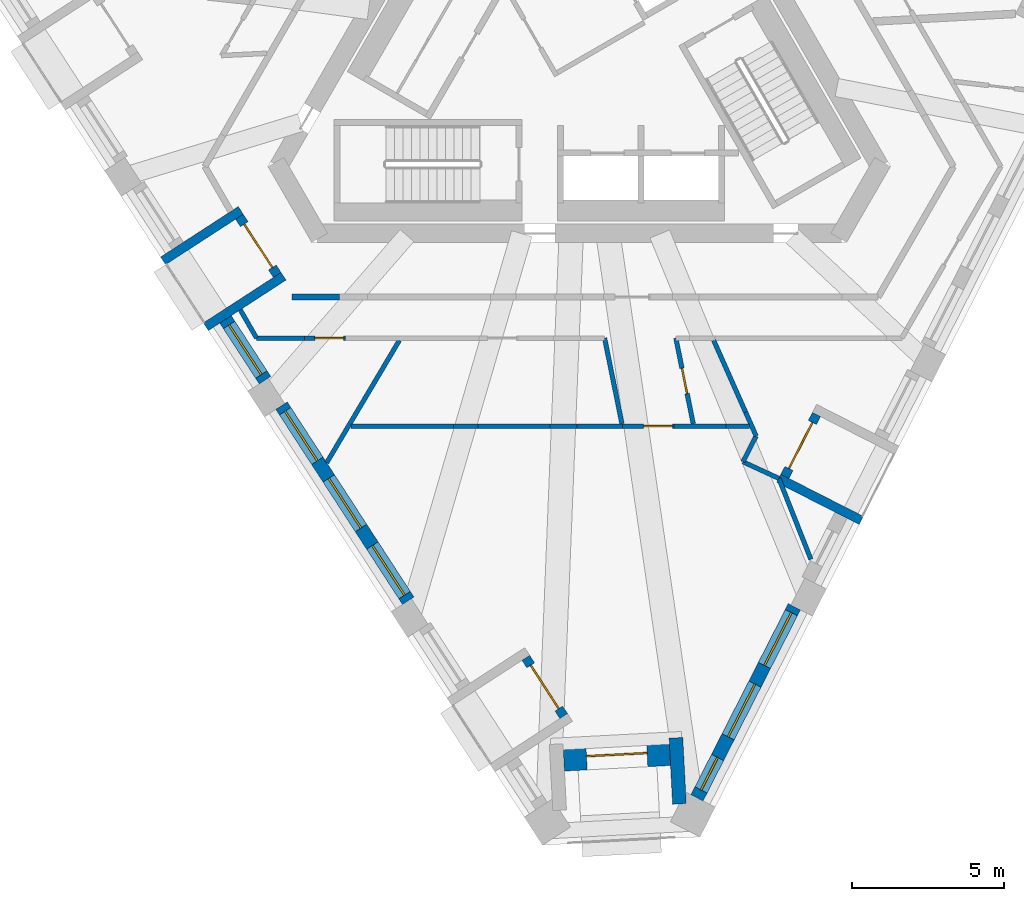
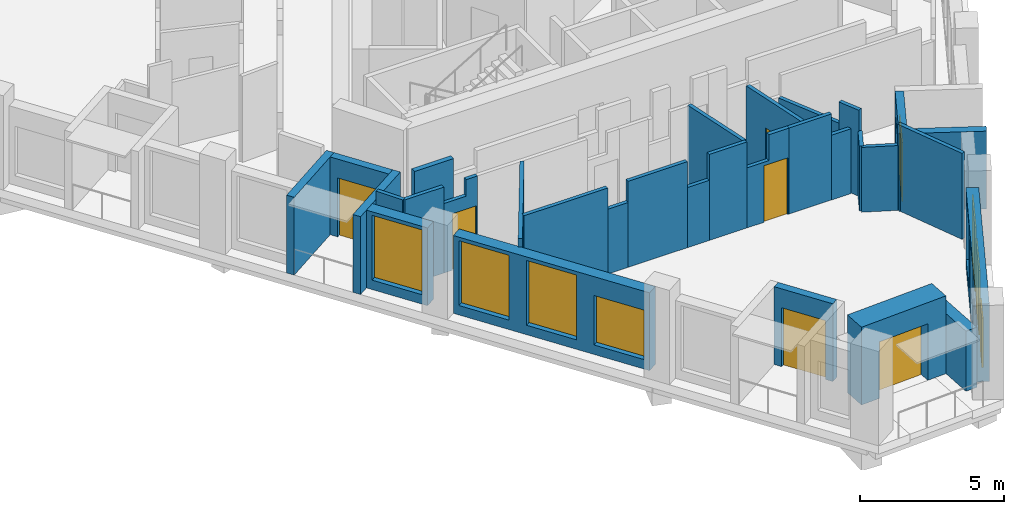
# One storey, part 2 of 12: 31 walls, 7 doors, 7 windows, 14 openings.
"""IFC4 building model written with IfcOpenShell, lengths in metres."""

from ifc_helpers import new_model, si_unit, direction, frame, frame_2d, origin, place, context, subcontext, project, spatial, polyline, rectangle, outline, extrude, material, layer, layer_set, type_object, element, fill, save


model = new_model("IFC4")

# Units and contexts
model_context = context("Model", 3, precision=1e-05, world=origin(), true_north=direction((0.0, 1.0)))
body_context = subcontext(model_context, "Body", "Model", "MODEL_VIEW")
ifc_project = project(units=[si_unit("LENGTHUNIT", "METRE"), si_unit("AREAUNIT", "SQUARE_METRE"), si_unit("VOLUMEUNIT", "CUBIC_METRE"), si_unit("PLANEANGLEUNIT", "RADIAN"), si_unit("MASSUNIT", "GRAM", prefix="KILO")], contexts=[model_context])

# Site, building, storey
site_placement = place(None, origin())
site = spatial("IfcSite", under=ifc_project, at=site_placement, CompositionType="ELEMENT")
building_placement = place(site_placement, origin())
building = spatial("IfcBuilding", under=site, at=building_placement, Name="Tramontana Tower", CompositionType="ELEMENT")
storey_placement = place(building_placement, frame((0.0, 0.0, 298.39990234375)))
storey = spatial("IfcBuildingStorey", under=building, at=storey_placement, Name="L70", CompositionType="ELEMENT", Elevation=298.39990234375)

# Wall
ifc_material_1 = material(Name="Blockwork", Category="masonry")
ifc_layer_1 = layer(ifc_material_1, 0.199951171875)
ifc_layer_set_1 = layer_set([ifc_layer_1], Name="ENTRY WALL 200")
wall_type_1 = type_object("IfcWallType", Name="ENTRY WALL 200", PredefinedType="SOLIDWALL", material=ifc_layer_set_1)
wall_1_placement = place(storey_placement, frame((-7.89599609375, -8.550048828125, 0.0), z_axis=(0.0, 0.0, 1.0), x_axis=(-1.0, 0.0, 0.0)))
element("IfcWall", 1, at=wall_1_placement, inside=storey, type_object=wall_type_1, Name="Wall v72-ew1-11", PredefinedType="SOLIDWALL", context=body_context, shape_type="SweptSolid", body=[
    extrude(rectangle(XDim=1.569580078125, YDim=0.199951171875, at=frame_2d((0.78466796875, 0.0))), origin(), (0.0, 0.0, 1.0), 3.650146484375),
])

# Wall, opening, window
ifc_material_2 = material(Name="Precast concrete 60 MPa", Category="concrete")
ifc_layer_2 = layer(ifc_material_2, 0.449951171875)
ifc_layer_set_2 = layer_set([ifc_layer_2], Name="Precast concrete 60 MPa, 450 mm")
wall_type_2 = type_object("IfcWallType", Name="EW1 Stone-faced precast wall 450", PredefinedType="SOLIDWALL", material=ifc_layer_set_2)
wall_2_placement = place(storey_placement, frame((-11.647216796875, -9.284912109375, 0.0), z_axis=(0.0, 0.0, 1.0), x_axis=(0.544722247615, -0.838616523182, 0.0)))
wall_2 = element("IfcWall", 2, at=wall_2_placement, inside=storey, type_object=wall_type_2, Name="External wall L70 face 0 bay 3", PredefinedType="SOLIDWALL", context=body_context, shape_type="SweptSolid", body=[
    extrude(rectangle(XDim=2.38671875, YDim=0.449951171875, at=frame_2d((1.193359375, 0.0))), origin(), (0.0, 0.0, 1.0), 3.300048828125),
])
opening_1_placement = place(wall_2_placement, frame((0.21826171875, 0.0, 0.39990234375)))
opening_1 = element("IfcOpeningElement", 3, at=opening_1_placement, cuts=wall_2, Name="Opening M3", PredefinedType="OPENING", context=body_context, shape_type="SweptSolid", body=[
    extrude(rectangle(XDim=1.949951171875, YDim=2.75, at=frame_2d((0.97509765625, 1.375))), frame((0.0, 0.23486328125, 0.0), z_axis=(0.0, -1.0, 0.0), x_axis=(1.0, 0.0, 0.0)), (0.0, 0.0, 1.0), 0.469970703125),
])
ifc_material_3 = material(Name="Aluminum frame, double glazing unit", Category="aluminium")
window_type_1 = type_object("IfcWindowType", Name="M3 Window 1.95 x 2.75", PartitioningType="SINGLE_PANEL", PredefinedType="WINDOW", material=ifc_material_3)
window_1_placement = place(opening_1_placement, origin())
window_1 = element("IfcWindow", 4, at=window_1_placement, inside=storey, type_object=window_type_1, Name="Window M3 L70 face 0 module 9", OverallHeight=2.75, OverallWidth=1.949951171875, PartitioningType="SINGLE_PANEL", PredefinedType="WINDOW", context=body_context, shape_type="SweptSolid", body=[
    extrude(rectangle(XDim=1.949951171875, YDim=2.75, at=frame_2d((0.97509765625, 1.375))), frame((0.0, 0.030029296875, 0.0), z_axis=(0.0, -1.0, 0.0), x_axis=(1.0, 0.0, 0.0)), (0.0, 0.0, 1.0), 0.06005859375),
])
fill(opening_1, window_1)

# Wall, openings, windows
wall_3_placement = place(storey_placement, frame((-9.802734375, -12.125244140625, 0.0), z_axis=(0.0, 0.0, 1.0), x_axis=(0.544649987904, -0.838663454954, 0.0)))
wall_3 = element("IfcWall", 5, at=wall_3_placement, inside=storey, type_object=wall_type_2, Name="External wall L70 face 0 bay 4", PredefinedType="SOLIDWALL", context=body_context, shape_type="SweptSolid", body=[
    extrude(rectangle(XDim=7.66015625, YDim=0.449951171875, at=frame_2d((3.830078125, 0.0))), origin(), (0.0, 0.0, 1.0), 3.300048828125),
])
opening_2_placement = place(wall_3_placement, frame((0.21826171875, 0.0, 0.39990234375)))
opening_2 = element("IfcOpeningElement", 6, at=opening_2_placement, cuts=wall_3, Name="Opening M3", PredefinedType="OPENING", context=body_context, shape_type="SweptSolid", body=[
    extrude(rectangle(XDim=1.949951171875, YDim=2.75, at=frame_2d((0.97509765625, 1.375))), frame((0.0, 0.23486328125, 0.0), z_axis=(0.0, -1.0, 0.0), x_axis=(1.0, 0.0, 0.0)), (0.0, 0.0, 1.0), 0.469970703125),
])
opening_3_placement = place(wall_3_placement, frame((2.855224609375, 0.0, 0.39990234375)))
opening_3 = element("IfcOpeningElement", 7, at=opening_3_placement, cuts=wall_3, Name="Opening M3", PredefinedType="OPENING", context=body_context, shape_type="SweptSolid", body=[
    extrude(rectangle(XDim=1.949951171875, YDim=2.75, at=frame_2d((0.97509765625, 1.375))), frame((0.0, 0.23486328125, 0.0), z_axis=(0.0, -1.0, 0.0), x_axis=(1.0, 0.0, 0.0)), (0.0, 0.0, 1.0), 0.469970703125),
])
opening_4_placement = place(wall_3_placement, frame((5.491943359375, 0.0, 0.39990234375)))
opening_4 = element("IfcOpeningElement", 8, at=opening_4_placement, cuts=wall_3, Name="Opening M3L", PredefinedType="OPENING", context=body_context, shape_type="SweptSolid", body=[
    extrude(rectangle(XDim=1.949951171875, YDim=2.10009765625, at=frame_2d((0.97509765625, 1.050048828125))), frame((0.0, 0.23486328125, 0.0), z_axis=(0.0, -1.0, 0.0), x_axis=(1.0, 0.0, 0.0)), (0.0, 0.0, 1.0), 0.469970703125),
])
window_2_placement = place(opening_2_placement, origin())
window_2 = element("IfcWindow", 9, at=window_2_placement, inside=storey, type_object=window_type_1, Name="Window M3 L70 face 0 module 10", OverallHeight=2.75, OverallWidth=1.949951171875, PartitioningType="SINGLE_PANEL", PredefinedType="WINDOW", context=body_context, shape_type="SweptSolid", body=[
    extrude(rectangle(XDim=1.949951171875, YDim=2.75, at=frame_2d((0.97509765625, 1.375))), frame((0.0, 0.030029296875, 0.0), z_axis=(0.0, -1.0, 0.0), x_axis=(1.0, 0.0, 0.0)), (0.0, 0.0, 1.0), 0.06005859375),
])
fill(opening_2, window_2)
window_3_placement = place(opening_3_placement, origin())
window_3 = element("IfcWindow", 10, at=window_3_placement, inside=storey, type_object=window_type_1, Name="Window M3 L70 face 0 module 11", OverallHeight=2.75, OverallWidth=1.949951171875, PartitioningType="SINGLE_PANEL", PredefinedType="WINDOW", context=body_context, shape_type="SweptSolid", body=[
    extrude(rectangle(XDim=1.949951171875, YDim=2.75, at=frame_2d((0.97509765625, 1.375))), frame((0.0, 0.030029296875, 0.0), z_axis=(0.0, -1.0, 0.0), x_axis=(1.0, 0.0, 0.0)), (0.0, 0.0, 1.0), 0.06005859375),
])
fill(opening_3, window_3)
ifc_material_4 = material(Name="Aluminum frame, double glazing unit", Category="aluminium")
window_type_2 = type_object("IfcWindowType", Name="M3L Window 1.95 x 2.1", PartitioningType="SINGLE_PANEL", PredefinedType="WINDOW", material=ifc_material_4)
window_4_placement = place(opening_4_placement, origin())
window_4 = element("IfcWindow", 11, at=window_4_placement, inside=storey, type_object=window_type_2, Name="Window M3L L70 face 0 module 12", OverallHeight=2.10009765625, OverallWidth=1.949951171875, PartitioningType="SINGLE_PANEL", PredefinedType="WINDOW", context=body_context, shape_type="SweptSolid", body=[
    extrude(rectangle(XDim=1.949951171875, YDim=2.10009765625, at=frame_2d((0.97509765625, 1.050048828125))), frame((0.0, 0.030029296875, 0.0), z_axis=(0.0, -1.0, 0.0), x_axis=(1.0, 0.0, 0.0)), (0.0, 0.0, 1.0), 0.06005859375),
])
fill(opening_4, window_4)

wall_4_placement = place(storey_placement, frame((3.87939453125, -25.041259765625, 0.0), z_axis=(0.0, 0.0, 1.0), x_axis=(0.453992084912, 0.891005716501, 0.0)))
wall_4 = element("IfcWall", 12, at=wall_4_placement, inside=storey, type_object=wall_type_2, Name="External wall L70 face 1 bay 1", PredefinedType="SOLIDWALL", context=body_context, shape_type="SweptSolid", body=[
    extrude(rectangle(XDim=7.060302734375, YDim=0.449951171875, at=frame_2d((3.5302734375, 0.0))), origin(), (0.0, 0.0, 1.0), 3.300048828125),
])
opening_5_placement = place(wall_4_placement, frame((0.29345703125, 0.0, 0.39990234375)))
opening_5 = element("IfcOpeningElement", 13, at=opening_5_placement, cuts=wall_4, Name="Opening N3L", PredefinedType="OPENING", context=body_context, shape_type="SweptSolid", body=[
    extrude(rectangle(XDim=1.199951171875, YDim=2.10009765625, at=frame_2d((0.60009765625, 1.050048828125))), frame((0.0, 0.23486328125, 0.0), z_axis=(0.0, -1.0, 0.0), x_axis=(1.0, 0.0, 0.0)), (0.0, 0.0, 1.0), 0.469970703125),
])
opening_6_placement = place(wall_4_placement, frame((2.255126953125, 0.0, 0.39990234375)))
opening_6 = element("IfcOpeningElement", 14, at=opening_6_placement, cuts=wall_4, Name="Opening M3", PredefinedType="OPENING", context=body_context, shape_type="SweptSolid", body=[
    extrude(rectangle(XDim=1.949951171875, YDim=2.75, at=frame_2d((0.97509765625, 1.375))), frame((0.0, 0.23486328125, 0.0), z_axis=(0.0, -1.0, 0.0), x_axis=(1.0, 0.0, 0.0)), (0.0, 0.0, 1.0), 0.469970703125),
])
opening_7_placement = place(wall_4_placement, frame((4.891845703125, 0.0, 0.39990234375)))
opening_7 = element("IfcOpeningElement", 15, at=opening_7_placement, cuts=wall_4, Name="Opening M3", PredefinedType="OPENING", context=body_context, shape_type="SweptSolid", body=[
    extrude(rectangle(XDim=1.949951171875, YDim=2.75, at=frame_2d((0.97509765625, 1.375))), frame((0.0, 0.23486328125, 0.0), z_axis=(0.0, -1.0, 0.0), x_axis=(1.0, 0.0, 0.0)), (0.0, 0.0, 1.0), 0.469970703125),
])
window_5_placement = place(opening_6_placement, origin())
window_5 = element("IfcWindow", 16, at=window_5_placement, inside=storey, type_object=window_type_1, Name="Window M3 L70 face 1 module 2", OverallHeight=2.75, OverallWidth=1.949951171875, PartitioningType="SINGLE_PANEL", PredefinedType="WINDOW", context=body_context, shape_type="SweptSolid", body=[
    extrude(rectangle(XDim=1.949951171875, YDim=2.75, at=frame_2d((0.97509765625, 1.375))), frame((0.0, 0.030029296875, 0.0), z_axis=(0.0, -1.0, 0.0), x_axis=(1.0, 0.0, 0.0)), (0.0, 0.0, 1.0), 0.06005859375),
])
fill(opening_6, window_5)
window_6_placement = place(opening_7_placement, origin())
window_6 = element("IfcWindow", 17, at=window_6_placement, inside=storey, type_object=window_type_1, Name="Window M3 L70 face 1 module 3", OverallHeight=2.75, OverallWidth=1.949951171875, PartitioningType="SINGLE_PANEL", PredefinedType="WINDOW", context=body_context, shape_type="SweptSolid", body=[
    extrude(rectangle(XDim=1.949951171875, YDim=2.75, at=frame_2d((0.97509765625, 1.375))), frame((0.0, 0.030029296875, 0.0), z_axis=(0.0, -1.0, 0.0), x_axis=(1.0, 0.0, 0.0)), (0.0, 0.0, 1.0), 0.06005859375),
])
fill(opening_7, window_6)
ifc_material_5 = material(Name="Aluminum frame, double glazing unit", Category="aluminium")
window_type_3 = type_object("IfcWindowType", Name="N3L Window 1.2 x 2.1", PartitioningType="SINGLE_PANEL", PredefinedType="WINDOW", material=ifc_material_5)
window_7_placement = place(opening_5_placement, origin())
window_7 = element("IfcWindow", 18, at=window_7_placement, inside=storey, type_object=window_type_3, Name="Window N3L L70 face 1 module 1", OverallHeight=2.10009765625, OverallWidth=1.199951171875, PartitioningType="SINGLE_PANEL", PredefinedType="WINDOW", context=body_context, shape_type="SweptSolid", body=[
    extrude(rectangle(XDim=1.199951171875, YDim=2.10009765625, at=frame_2d((0.60009765625, 1.050048828125))), frame((0.0, 0.030029296875, 0.0), z_axis=(0.0, -1.0, 0.0), x_axis=(1.0, 0.0, 0.0)), (0.0, 0.0, 1.0), 0.06005859375),
])
fill(opening_5, window_7)

# Wall
wall_5_placement = place(storey_placement, frame((3.300537109375, -25.240966796875, 0.0), z_axis=(0.0, 0.0, 1.0), x_axis=(-0.052323605405, 0.998630181958, 0.0)))
element("IfcWall", 19, at=wall_5_placement, inside=storey, type_object=wall_type_2, Name="Corner loggia side wall L70 K71l", PredefinedType="SOLIDWALL", context=body_context, shape_type="SweptSolid", body=[
    extrude(rectangle(XDim=2.178955078125, YDim=0.449951171875, at=frame_2d((1.08935546875, 0.0))), origin(), (0.0, 0.0, 1.0), 2.550048828125),
])

# Wall, opening, door
ifc_material_6 = material(Name="Precast concrete 60 MPa", Category="concrete")
ifc_layer_3 = layer(ifc_material_6, 0.89990234375)
ifc_layer_set_3 = layer_set([ifc_layer_3], Name="EW2 Stone-faced corner loggia wall 900")
wall_type_3 = type_object("IfcWallType", Name="EW2 Stone-faced corner loggia wall 900", PredefinedType="SOLIDWALL", material=ifc_layer_set_3)
wall_6_placement = place(storey_placement, frame((2.9853515625, -23.52587890625, 0.0), z_axis=(0.0, 0.0, 1.0), x_axis=(-0.998626871225, -0.0523867547, 0.0)))
wall_6 = element("IfcWall", 20, at=wall_6_placement, inside=storey, type_object=wall_type_3, Name="Corner loggia wall L70 K71", PredefinedType="SOLIDWALL", context=body_context, shape_type="SweptSolid", body=[
    extrude(rectangle(XDim=3.5, YDim=0.89990234375, at=frame_2d((1.75, 0.0))), origin(), (0.0, 0.0, 1.0), 3.300048828125),
])
opening_8_placement = place(wall_6_placement, frame((0.75, 0.0, 0.0)))
opening_8 = element("IfcOpeningElement", 21, at=opening_8_placement, cuts=wall_6, Name="Opening BD-71C", PredefinedType="OPENING", context=body_context, shape_type="SweptSolid", body=[
    extrude(rectangle(XDim=2.0, YDim=2.39990234375, at=frame_2d((1.0, 1.199951171875))), frame((0.0, 0.4599609375, 0.0), z_axis=(0.0, -1.0, 0.0), x_axis=(1.0, 0.0, 0.0)), (0.0, 0.0, 1.0), 0.919921875),
])
ifc_material_7 = material(Name="Aluminum frame, double glazing unit", Category="aluminium")
door_type_1 = type_object("IfcDoorType", Name="BC1 Sliding door 2 x 2.4", OperationType="SLIDING_TO_LEFT", PredefinedType="DOOR", material=ifc_material_7)
door_1_placement = place(opening_8_placement, origin())
door_1 = element("IfcDoor", 22, at=door_1_placement, inside=storey, type_object=door_type_1, Name="Corner loggia door L70 K71", OperationType="SLIDING_TO_LEFT", OverallHeight=2.39990234375, OverallWidth=2.0, PredefinedType="DOOR", context=body_context, shape_type="SweptSolid", body=[
    extrude(rectangle(XDim=2.0, YDim=2.39990234375, at=frame_2d((1.0, 1.199951171875))), frame((0.0, 0.02490234375, 0.0), z_axis=(0.0, -1.0, 0.0), x_axis=(1.0, 0.0, 0.0)), (0.0, 0.0, 1.0), 0.050048828125),
])
fill(opening_8, door_1)

ifc_material_8 = material(Name="Precast concrete 60 MPa", Category="concrete")
ifc_layer_4 = layer(ifc_material_8, 0.300048828125)
ifc_layer_set_4 = layer_set([ifc_layer_4], Name="LW1 Stone-faced loggia wall 300")
wall_type_4 = type_object("IfcWallType", Name="LW1 Stone-faced loggia wall 300", PredefinedType="SOLIDWALL", material=ifc_layer_set_4)
wall_7_placement = place(storey_placement, frame((-11.18994140625, -5.903564453125, 0.0), z_axis=(0.0, 0.0, 1.0), x_axis=(0.544631777146, -0.838675281216, 0.0)))
wall_7 = element("IfcWall", 23, at=wall_7_placement, inside=storey, type_object=wall_type_4, Name="Loggia wall L70 G7S0.7", PredefinedType="SOLIDWALL", context=body_context, shape_type="SweptSolid", body=[
    extrude(rectangle(XDim=2.28662109375, YDim=0.300048828125, at=frame_2d((1.143310546875, 0.0))), origin(), (0.0, 0.0, 1.0), 3.300048828125),
])
opening_9_placement = place(wall_7_placement, frame((0.29345703125, 0.0, 0.0)))
opening_9 = element("IfcOpeningElement", 24, at=opening_9_placement, cuts=wall_7, Name="Opening BD-7S0-07", PredefinedType="OPENING", context=body_context, shape_type="SweptSolid", body=[
    extrude(rectangle(XDim=1.699951171875, YDim=2.5, at=frame_2d((0.85009765625, 1.25))), frame((0.0, 0.159912109375, 0.0), z_axis=(0.0, -1.0, 0.0), x_axis=(1.0, 0.0, 0.0)), (0.0, 0.0, 1.0), 0.320068359375),
])
ifc_material_9 = material(Name="Aluminum frame, double glazing unit", Category="aluminium")
door_type_2 = type_object("IfcDoorType", Name="BD3 Sliding door 1.7 x 2.5", OperationType="SLIDING_TO_LEFT", PredefinedType="DOOR", material=ifc_material_9)
door_2_placement = place(opening_9_placement, origin())
door_2 = element("IfcDoor", 25, at=door_2_placement, inside=storey, type_object=door_type_2, Name="Loggia door L70 G7S0.7", OperationType="SLIDING_TO_LEFT", OverallHeight=2.5, OverallWidth=1.699951171875, PredefinedType="DOOR", context=body_context, shape_type="SweptSolid", body=[
    extrude(rectangle(XDim=1.699951171875, YDim=2.5, at=frame_2d((0.85009765625, 1.25))), frame((0.0, 0.02490234375, 0.0), z_axis=(0.0, -1.0, 0.0), x_axis=(1.0, 0.0, 0.0)), (0.0, 0.0, 1.0), 0.050048828125),
])
fill(opening_9, door_2)

# Walls
wall_8_placement = place(storey_placement, frame((-13.703857421875, -7.357177734375, 0.0), z_axis=(0.0, 0.0, 1.0), x_axis=(0.838688583525, 0.544611292451, 0.0)))
element("IfcWall", 26, at=wall_8_placement, inside=storey, type_object=wall_type_4, Name="Loggia return L70 G7S0.7a", PredefinedType="SOLIDWALL", context=body_context, shape_type="SweptSolid", body=[
    extrude(rectangle(XDim=3.050048828125, YDim=0.300048828125, at=frame_2d((1.52490234375, 0.0))), origin(), (0.0, 0.0, 1.0), 3.300048828125),
])
wall_9_placement = place(storey_placement, frame((-12.294921875, -9.526611328125, 0.0), z_axis=(0.0, 0.0, 1.0), x_axis=(0.838664840319, 0.544647854685, 0.0)))
element("IfcWall", 27, at=wall_9_placement, inside=storey, type_object=wall_type_4, Name="Loggia return L70 G7S0.7b", PredefinedType="SOLIDWALL", context=body_context, shape_type="SweptSolid", body=[
    extrude(rectangle(XDim=3.0498046875, YDim=0.300048828125, at=frame_2d((1.52490234375, 0.0))), origin(), (0.0, 0.0, 1.0), 3.300048828125),
])

# Wall, opening, door
wall_10_placement = place(storey_placement, frame((-1.756591796875, -20.4296875, 0.0), z_axis=(0.0, 0.0, 1.0), x_axis=(0.544658103125, -0.838658184662, 0.0)))
wall_10 = element("IfcWall", 28, at=wall_10_placement, inside=storey, type_object=wall_type_4, Name="Loggia wall L70 G7S0.13", PredefinedType="SOLIDWALL", context=body_context, shape_type="SweptSolid", body=[
    extrude(rectangle(XDim=2.286865234375, YDim=0.300048828125, at=frame_2d((1.1435546875, 0.0))), origin(), (0.0, 0.0, 1.0), 3.300048828125),
])
opening_10_placement = place(wall_10_placement, frame((0.29345703125, 0.0, 0.0)))
opening_10 = element("IfcOpeningElement", 29, at=opening_10_placement, cuts=wall_10, Name="Opening BD-7S0-13", PredefinedType="OPENING", context=body_context, shape_type="SweptSolid", body=[
    extrude(rectangle(XDim=1.699951171875, YDim=2.5, at=frame_2d((0.85009765625, 1.25))), frame((0.0, 0.159912109375, 0.0), z_axis=(0.0, -1.0, 0.0), x_axis=(1.0, 0.0, 0.0)), (0.0, 0.0, 1.0), 0.320068359375),
])
door_3_placement = place(opening_10_placement, origin())
door_3 = element("IfcDoor", 30, at=door_3_placement, inside=storey, type_object=door_type_2, Name="Loggia door L70 G7S0.13", OperationType="SLIDING_TO_LEFT", OverallHeight=2.5, OverallWidth=1.699951171875, PredefinedType="DOOR", context=body_context, shape_type="SweptSolid", body=[
    extrude(rectangle(XDim=1.699951171875, YDim=2.5, at=frame_2d((0.85009765625, 1.25))), frame((0.0, 0.02490234375, 0.0), z_axis=(0.0, -1.0, 0.0), x_axis=(1.0, 0.0, 0.0)), (0.0, 0.0, 1.0), 0.050048828125),
])
fill(opening_10, door_3)

wall_11_placement = place(storey_placement, frame((6.77587890625, -14.455322265625, 0.0), z_axis=(0.0, 0.0, 1.0), x_axis=(0.454076116559, 0.890962895058, 0.0)))
wall_11 = element("IfcWall", 31, at=wall_11_placement, inside=storey, type_object=wall_type_4, Name="Loggia wall L70 G7S1.4", PredefinedType="SOLIDWALL", context=body_context, shape_type="SweptSolid", body=[
    extrude(rectangle(XDim=2.28662109375, YDim=0.300048828125, at=frame_2d((1.143310546875, 0.0))), origin(), (0.0, 0.0, 1.0), 3.300048828125),
])
opening_11_placement = place(wall_11_placement, frame((0.29345703125, 0.0, 0.0)))
opening_11 = element("IfcOpeningElement", 32, at=opening_11_placement, cuts=wall_11, Name="Opening BD-7S1-04", PredefinedType="OPENING", context=body_context, shape_type="SweptSolid", body=[
    extrude(rectangle(XDim=1.699951171875, YDim=2.5, at=frame_2d((0.85009765625, 1.25))), frame((0.0, 0.159912109375, 0.0), z_axis=(0.0, -1.0, 0.0), x_axis=(1.0, 0.0, 0.0)), (0.0, 0.0, 1.0), 0.320068359375),
])
door_4_placement = place(opening_11_placement, origin())
door_4 = element("IfcDoor", 33, at=door_4_placement, inside=storey, type_object=door_type_2, Name="Loggia door L70 G7S1.4", OperationType="SLIDING_TO_LEFT", OverallHeight=2.5, OverallWidth=1.699951171875, PredefinedType="DOOR", context=body_context, shape_type="SweptSolid", body=[
    extrude(rectangle(XDim=1.699951171875, YDim=2.5, at=frame_2d((0.85009765625, 1.25))), frame((0.0, 0.02490234375, 0.0), z_axis=(0.0, -1.0, 0.0), x_axis=(1.0, 0.0, 0.0)), (0.0, 0.0, 1.0), 0.050048828125),
])
fill(opening_11, door_4)

# Walls
wall_12_placement = place(storey_placement, frame((9.291748046875, -15.905517578125, 0.0), z_axis=(0.0, 0.0, 1.0), x_axis=(-0.891023613249, 0.453956959009, 0.0)))
element("IfcWall", 34, at=wall_12_placement, inside=storey, type_object=wall_type_4, Name="Loggia return L70 G7S1.4a", PredefinedType="SOLIDWALL", context=body_context, shape_type="SweptSolid", body=[
    extrude(rectangle(XDim=3.0498046875, YDim=0.300048828125, at=frame_2d((1.52490234375, 0.0))), origin(), (0.0, 0.0, 1.0), 3.300048828125),
])
ifc_material_10 = material(Name="Gypsum board partition")
ifc_layer_5 = layer(ifc_material_10, 0.14990234375)
ifc_layer_set_5 = layer_set([ifc_layer_5], Name="PARTITION 150")
wall_type_5 = type_object("IfcWallType", Name="PARTITION 150", PredefinedType="PARTITIONING", material=ifc_layer_set_5)
wall_13_placement = place(storey_placement, frame((-10.623291015625, -9.89990234375, 0.0), z_axis=(0.0, 0.0, 1.0), x_axis=(-0.500095966228, 0.865969990567, 0.0)))
element("IfcWall", 35, at=wall_13_placement, inside=storey, type_object=wall_type_5, Name="Wall v72-pw07", PredefinedType="PARTITIONING", context=body_context, shape_type="SweptSolid", body=[
    extrude(rectangle(XDim=1.074951171875, YDim=0.14990234375, at=frame_2d((0.53759765625, 0.0))), origin(), (0.0, 0.0, 1.0), 3.650146484375),
])
wall_14_placement = place(storey_placement, frame((-8.31396484375, -14.004150390625, 0.0), z_axis=(0.0, 0.0, 1.0), x_axis=(0.510513473224, 0.859869753891, 0.0)))
element("IfcWall", 36, at=wall_14_placement, inside=storey, type_object=wall_type_5, Name="Wall v72-pw11", PredefinedType="PARTITIONING", context=body_context, shape_type="SweptSolid", body=[
    extrude(rectangle(XDim=4.685546875, YDim=0.14990234375, at=frame_2d((2.3427734375, 0.0))), origin(), (0.0, 0.0, 1.0), 3.650146484375),
])

# Wall, opening, door
wall_15_placement = place(storey_placement, frame((-7.703857421875, -9.89990234375, 0.0), z_axis=(0.0, 0.0, 1.0), x_axis=(-1.0, 0.0, 0.0)))
wall_15 = element("IfcWall", 37, at=wall_15_placement, inside=storey, type_object=wall_type_5, Name="Wall v72-pw14-5", PredefinedType="PARTITIONING", context=body_context, shape_type="SweptSolid", body=[
    extrude(outline(polyline([(0.0, 0.0), (1.348876953125, 0.0), (1.34912109375, 2.9501953125), (0.45458984375, 2.9501953125), (0.45458984375, 3.650146484375), (0.0, 3.650146484375), (0.0, 0.0)])), frame((0.0, 0.074951171875, 0.0), z_axis=(0.0, -1.0, 0.0), x_axis=(1.0, 0.0, 0.0)), (0.0, 0.0, 1.0), 0.14990234375),
])
opening_12_placement = place(wall_15_placement, frame((0.050048828125, 0.0, 0.0)))
opening_12 = element("IfcOpeningElement", 38, at=opening_12_placement, cuts=wall_15, Name="Opening B7C-09", PredefinedType="OPENING", context=body_context, shape_type="SweptSolid", body=[
    extrude(rectangle(XDim=0.949951171875, YDim=2.39990234375, at=frame_2d((0.47509765625, 1.199951171875))), frame((0.0, 0.0849609375, 0.0), z_axis=(0.0, -1.0, 0.0), x_axis=(1.0, 0.0, 0.0)), (0.0, 0.0, 1.0), 0.169921875),
])
ifc_material_11 = material(Name="Painted timber", Category="wood")
door_type_3 = type_object("IfcDoorType", Name="DOOR ROOM 950", OperationType="SINGLE_SWING_LEFT", PredefinedType="DOOR", material=ifc_material_11)
door_5_placement = place(opening_12_placement, origin())
door_5 = element("IfcDoor", 39, at=door_5_placement, inside=storey, type_object=door_type_3, Name="Door B7C-09", OperationType="SINGLE_SWING_LEFT", OverallHeight=2.39990234375, OverallWidth=0.949951171875, PredefinedType="DOOR", context=body_context, shape_type="SweptSolid", body=[
    extrude(rectangle(XDim=0.949951171875, YDim=2.39990234375, at=frame_2d((0.47509765625, 1.199951171875))), frame((0.0, 0.02490234375, 0.0), z_axis=(0.0, -1.0, 0.0), x_axis=(1.0, 0.0, 0.0)), (0.0, 0.0, 1.0), 0.050048828125),
])
fill(opening_12, door_5)

# Walls
wall_16_placement = place(storey_placement, frame((-9.052734375, -9.89990234375, 0.0), z_axis=(0.0, 0.0, 1.0), x_axis=(-1.0, 0.0, 0.0)))
element("IfcWall", 40, at=wall_16_placement, inside=storey, type_object=wall_type_5, Name="Wall v72-pw14-6", PredefinedType="PARTITIONING", context=body_context, shape_type="SweptSolid", body=[
    extrude(rectangle(XDim=1.570556640625, YDim=0.14990234375, at=frame_2d((0.78515625, 0.0))), origin(), (0.0, 0.0, 1.0), 3.650146484375),
])
wall_17_placement = place(storey_placement, frame((1.4091796875, -12.72509765625, 0.0), z_axis=(0.0, 0.0, 1.0), x_axis=(-0.198851501623, 0.980029632359, 0.0)))
element("IfcWall", 41, at=wall_17_placement, inside=storey, type_object=wall_type_5, Name="Wall v72-pw15", PredefinedType="PARTITIONING", context=body_context, shape_type="SweptSolid", body=[
    extrude(rectangle(XDim=2.8828125, YDim=0.14990234375, at=frame_2d((1.44140625, 0.0))), origin(), (0.0, 0.0, 1.0), 3.650146484375),
])

# Wall, opening, door
wall_18_placement = place(storey_placement, frame((3.182861328125, -9.89990234375, 0.0), z_axis=(0.0, 0.0, 1.0), x_axis=(0.198851501623, -0.980029632359, 0.0)))
wall_18 = element("IfcWall", 42, at=wall_18_placement, inside=storey, type_object=wall_type_5, Name="Wall v72-pw16", PredefinedType="PARTITIONING", context=body_context, shape_type="SweptSolid", body=[
    extrude(rectangle(XDim=2.8828125, YDim=0.14990234375, at=frame_2d((1.44140625, 0.0))), origin(), (0.0, 0.0, 1.0), 3.650146484375),
])
opening_13_placement = place(wall_18_placement, frame((1.016357421875, 0.0, 0.0)))
opening_13 = element("IfcOpeningElement", 43, at=opening_13_placement, cuts=wall_18, Name="Opening B7C-07", PredefinedType="OPENING", context=body_context, shape_type="SweptSolid", body=[
    extrude(rectangle(XDim=0.85009765625, YDim=2.39990234375, at=frame_2d((0.425048828125, 1.199951171875))), frame((0.0, 0.0849609375, 0.0), z_axis=(0.0, -1.0, 0.0), x_axis=(1.0, 0.0, 0.0)), (0.0, 0.0, 1.0), 0.169921875),
])
ifc_material_12 = material(Name="Painted timber", Category="wood")
door_type_4 = type_object("IfcDoorType", Name="DOOR BATH 850", OperationType="SINGLE_SWING_LEFT", PredefinedType="DOOR", material=ifc_material_12)
door_6_placement = place(opening_13_placement, origin())
door_6 = element("IfcDoor", 44, at=door_6_placement, inside=storey, type_object=door_type_4, Name="Door B7C-07", OperationType="SINGLE_SWING_LEFT", OverallHeight=2.39990234375, OverallWidth=0.85009765625, PredefinedType="DOOR", context=body_context, shape_type="SweptSolid", body=[
    extrude(rectangle(XDim=0.85009765625, YDim=2.39990234375, at=frame_2d((0.425048828125, 1.199951171875))), frame((0.0, 0.02490234375, 0.0), z_axis=(0.0, -1.0, 0.0), x_axis=(1.0, 0.0, 0.0)), (0.0, 0.0, 1.0), 0.050048828125),
])
fill(opening_13, door_6)

# Walls
wall_19_placement = place(storey_placement, frame((4.428466796875, -9.97509765625, 0.0), z_axis=(0.0, 0.0, 1.0), x_axis=(0.405814676305, -0.913955386491, 0.0)))
element("IfcWall", 45, at=wall_19_placement, inside=storey, type_object=wall_type_5, Name="Wall v72-pw19-0", PredefinedType="PARTITIONING", context=body_context, shape_type="SweptSolid", body=[
    extrude(rectangle(XDim=2.588623046875, YDim=0.14990234375, at=frame_2d((1.29443359375, 0.0))), origin(), (0.0, 0.0, 1.0), 2.75),
])
wall_20_placement = place(storey_placement, frame((5.47900390625, -12.341064453125, 0.0), z_axis=(0.0, 0.0, 1.0), x_axis=(0.405821136731, -0.913952517904, 0.0)))
element("IfcWall", 46, at=wall_20_placement, inside=storey, type_object=wall_type_5, Name="Wall v72-pw19-1", PredefinedType="PARTITIONING", context=body_context, shape_type="SweptSolid", body=[
    extrude(rectangle(XDim=0.856689453125, YDim=0.14990234375, at=frame_2d((0.42822265625, 0.0))), origin(), (0.0, 0.0, 1.0), 3.650146484375),
])
wall_21_placement = place(storey_placement, frame((5.394775390625, -13.976318359375, 0.0), z_axis=(0.0, 0.0, 1.0), x_axis=(0.907865857733, -0.419260759388, 0.0)))
element("IfcWall", 47, at=wall_21_placement, inside=storey, type_object=wall_type_5, Name="Wall v72-pw20-0", PredefinedType="PARTITIONING", context=body_context, shape_type="SweptSolid", body=[
    extrude(rectangle(XDim=1.299072265625, YDim=0.14990234375, at=frame_2d((0.6494140625, 0.0))), origin(), (0.0, 0.0, 1.0), 2.75),
])
wall_22_placement = place(storey_placement, frame((5.6005859375, -12.800048828125, 0.0), z_axis=(0.0, 0.0, 1.0), x_axis=(-1.0, 0.0, 0.0)))
element("IfcWall", 48, at=wall_22_placement, inside=storey, type_object=wall_type_5, Name="Wall v72-pw21-0", PredefinedType="PARTITIONING", context=body_context, shape_type="SweptSolid", body=[
    extrude(rectangle(XDim=0.77099609375, YDim=0.14990234375, at=frame_2d((0.385498046875, 0.0))), origin(), (0.0, 0.0, 1.0), 2.75),
])
wall_23_placement = place(storey_placement, frame((4.82958984375, -12.800048828125, 0.0), z_axis=(0.0, 0.0, 1.0), x_axis=(-1.0, 0.0, 0.0)))
element("IfcWall", 49, at=wall_23_placement, inside=storey, type_object=wall_type_5, Name="Wall v72-pw21-1", PredefinedType="PARTITIONING", context=body_context, shape_type="SweptSolid", body=[
    extrude(rectangle(XDim=1.70703125, YDim=0.14990234375, at=frame_2d((0.853515625, 0.0))), origin(), (0.0, 0.0, 1.0), 3.650146484375),
])

# Wall, opening, door
wall_24_placement = place(storey_placement, frame((3.12255859375, -12.800048828125, 0.0), z_axis=(0.0, 0.0, 1.0), x_axis=(-1.0, 0.0, 0.0)))
wall_24 = element("IfcWall", 50, at=wall_24_placement, inside=storey, type_object=wall_type_5, Name="Wall v72-pw21-2", PredefinedType="PARTITIONING", context=body_context, shape_type="SweptSolid", body=[
    extrude(outline(polyline([(0.0, 0.0), (1.693359375, 0.0), (1.693359375, 2.550048828125), (0.80908203125, 2.550048828125), (0.80908203125, 3.650146484375), (0.0, 3.650146484375), (0.0, 0.0)])), frame((0.0, 0.074951171875, 0.0), z_axis=(0.0, -1.0, 0.0), x_axis=(1.0, 0.0, 0.0)), (0.0, 0.0, 1.0), 0.14990234375),
])
opening_14_placement = place(wall_24_placement, frame((0.050048828125, 0.0, 0.0)))
opening_14 = element("IfcOpeningElement", 51, at=opening_14_placement, cuts=wall_24, Name="Opening B7C-08", PredefinedType="OPENING", context=body_context, shape_type="SweptSolid", body=[
    extrude(rectangle(XDim=0.949951171875, YDim=2.39990234375, at=frame_2d((0.47509765625, 1.199951171875))), frame((0.0, 0.0849609375, 0.0), z_axis=(0.0, -1.0, 0.0), x_axis=(1.0, 0.0, 0.0)), (0.0, 0.0, 1.0), 0.169921875),
])
door_7_placement = place(opening_14_placement, origin())
door_7 = element("IfcDoor", 52, at=door_7_placement, inside=storey, type_object=door_type_3, Name="Door B7C-08", OperationType="SINGLE_SWING_RIGHT", OverallHeight=2.39990234375, OverallWidth=0.949951171875, PredefinedType="DOOR", context=body_context, shape_type="SweptSolid", body=[
    extrude(rectangle(XDim=0.949951171875, YDim=2.39990234375, at=frame_2d((0.47509765625, 1.199951171875))), frame((0.0, 0.02490234375, 0.0), z_axis=(0.0, -1.0, 0.0), x_axis=(1.0, 0.0, 0.0)), (0.0, 0.0, 1.0), 0.050048828125),
])
fill(opening_14, door_7)

# Walls
wall_25_placement = place(storey_placement, frame((1.42919921875, -12.800048828125, 0.0), z_axis=(0.0, 0.0, 1.0), x_axis=(-1.0, 0.0, 0.0)))
element("IfcWall", 53, at=wall_25_placement, inside=storey, type_object=wall_type_5, Name="Wall v72-pw21-3", PredefinedType="PARTITIONING", context=body_context, shape_type="SweptSolid", body=[
    extrude(rectangle(XDim=1.509521484375, YDim=0.14990234375, at=frame_2d((0.7548828125, 0.0))), origin(), (0.0, 0.0, 1.0), 3.650146484375),
])
wall_26_placement = place(storey_placement, frame((-0.080322265625, -12.800048828125, 0.0), z_axis=(0.0, 0.0, 1.0), x_axis=(-1.0, 0.0, 0.0)))
element("IfcWall", 54, at=wall_26_placement, inside=storey, type_object=wall_type_5, Name="Wall v72-pw21-4", PredefinedType="PARTITIONING", context=body_context, shape_type="SweptSolid", body=[
    extrude(rectangle(XDim=0.875732421875, YDim=0.14990234375, at=frame_2d((0.43798828125, 0.0))), origin(), (0.0, 0.0, 1.0), 2.550048828125),
])
wall_27_placement = place(storey_placement, frame((-0.9560546875, -12.800048828125, 0.0), z_axis=(0.0, 0.0, 1.0), x_axis=(-1.0, 0.0, 0.0)))
element("IfcWall", 55, at=wall_27_placement, inside=storey, type_object=wall_type_5, Name="Wall v72-pw21-5", PredefinedType="PARTITIONING", context=body_context, shape_type="SweptSolid", body=[
    extrude(rectangle(XDim=2.382080078125, YDim=0.14990234375, at=frame_2d((1.19091796875, 0.0))), origin(), (0.0, 0.0, 1.0), 3.650146484375),
])
wall_28_placement = place(storey_placement, frame((-3.338134765625, -12.800048828125, 0.0), z_axis=(0.0, 0.0, 1.0), x_axis=(-1.0, 0.0, 0.0)))
element("IfcWall", 56, at=wall_28_placement, inside=storey, type_object=wall_type_5, Name="Wall v72-pw21-6", PredefinedType="PARTITIONING", context=body_context, shape_type="SweptSolid", body=[
    extrude(rectangle(XDim=0.807373046875, YDim=0.14990234375, at=frame_2d((0.40380859375, 0.0))), origin(), (0.0, 0.0, 1.0), 2.75),
])
wall_29_placement = place(storey_placement, frame((-4.1455078125, -12.800048828125, 0.0), z_axis=(0.0, 0.0, 1.0), x_axis=(-1.0, 0.0, 0.0)))
element("IfcWall", 57, at=wall_29_placement, inside=storey, type_object=wall_type_5, Name="Wall v72-pw21-7", PredefinedType="PARTITIONING", context=body_context, shape_type="SweptSolid", body=[
    extrude(rectangle(XDim=3.3662109375, YDim=0.14990234375, at=frame_2d((1.68310546875, 0.0))), origin(), (0.0, 0.0, 1.0), 3.650146484375),
])
wall_30_placement = place(storey_placement, frame((5.82666015625, -13.124267578125, 0.0), z_axis=(0.0, 0.0, 1.0), x_axis=(-0.454063887125, -0.890969127641, 0.0)))
element("IfcWall", 58, at=wall_30_placement, inside=storey, type_object=wall_type_5, Name="Wall v72-pw22-0", PredefinedType="PARTITIONING", context=body_context, shape_type="SweptSolid", body=[
    extrude(rectangle(XDim=0.953369140625, YDim=0.14990234375, at=frame_2d((0.4765625, 0.0))), origin(), (0.0, 0.0, 1.0), 2.75),
])
wall_31_placement = place(storey_placement, frame((6.57421875, -14.52099609375, 0.0), z_axis=(0.0, 0.0, 1.0), x_axis=(0.368289344642, -0.929711223243, 0.0)))
element("IfcWall", 59, at=wall_31_placement, inside=storey, type_object=wall_type_5, Name="Wall v72-pw24", PredefinedType="PARTITIONING", context=body_context, shape_type="SweptSolid", body=[
    extrude(rectangle(XDim=2.86572265625, YDim=0.14990234375, at=frame_2d((1.432861328125, 0.0))), origin(), (0.0, 0.0, 1.0), 3.650146484375),
])

save(model, "model.ifc")
